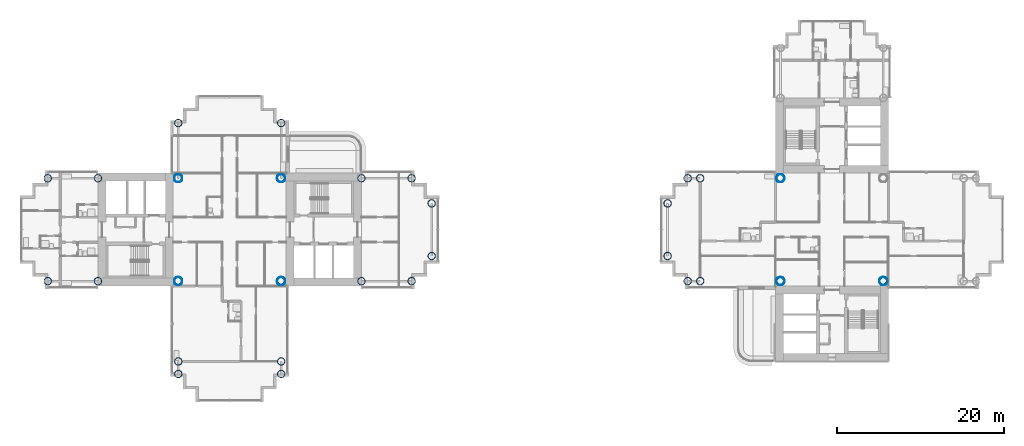
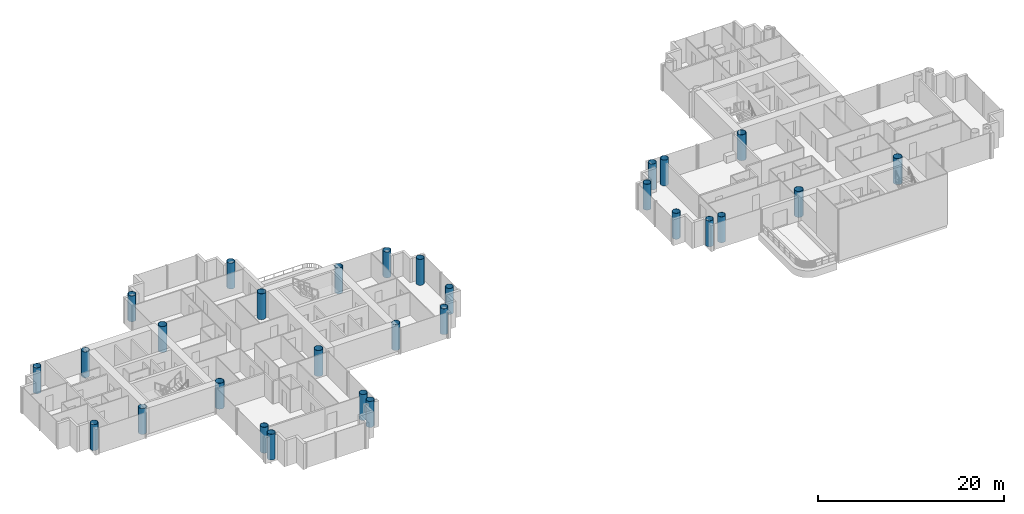
# One storey, part 1 of 21: 29 columns.
"""IFC4 building model written with IfcOpenShell, lengths in metres."""

from ifc_helpers import new_model, si_unit, direction, frame, origin, origin_2d, place, context, subcontext, project, spatial, hollow_circle, extrude, material, material_profile, profile_set, type_object, element, save


model = new_model("IFC4")

# Units and contexts
model_context = context("Model", 3, precision=1e-05, world=origin(), true_north=direction((0.0, 1.0)))
body_context = subcontext(model_context, "Body", "Model", "MODEL_VIEW")
ifc_project = project(units=[si_unit("LENGTHUNIT", "METRE"), si_unit("AREAUNIT", "SQUARE_METRE"), si_unit("VOLUMEUNIT", "CUBIC_METRE"), si_unit("PLANEANGLEUNIT", "RADIAN"), si_unit("MASSUNIT", "GRAM", prefix="KILO")], contexts=[model_context])

# Site, building, storey
site_placement = place(None, origin())
site = spatial("IfcSite", under=ifc_project, at=site_placement, CompositionType="ELEMENT")
building_placement = place(site_placement, origin())
building = spatial("IfcBuilding", under=site, at=building_placement, Name="Ipe Terrace Towers", CompositionType="ELEMENT")
storey_placement = place(building_placement, frame((0.0, 0.0, 83.39990234375)))
storey = spatial("IfcBuildingStorey", under=building, at=storey_placement, Name="L22", CompositionType="ELEMENT", Elevation=83.39990234375)

# Columns
ifc_material_1 = material(Name="Steel S355 tube with Concrete C60/75 fill", Category="concrete")
ifc_material_profile_1 = material_profile(ifc_material_1, hollow_circle(Radius=0.5, WallThickness=0.035888671875, at=origin_2d()), Name="CHS-1000x36")
ifc_profile_set_1 = profile_set([ifc_material_profile_1], Name="Steel S355 tube with Concrete C60/75 fill")
column_type_1 = type_object("IfcColumnType", Name="CH01 COLUMN CHS-1000x36", PredefinedType="COLUMN", material=ifc_profile_set_1)
for number, where, z_axis, x_axis, name in (
    (1, (-42.14990234375, -6.14990234375, 0.0), (0.0, 0.0, 1.0), (1.0, 0.0, 0.0), "Column T1-C-E01"),
    (2, (-29.85009765625, -6.14990234375, 0.0), (0.0, 0.0, 1.0), (1.0, 0.0, 0.0), "Column T1-C-E02"),
    (3, (-29.85009765625, 6.14990234375, 0.0), (0.0, 0.0, 1.0), (1.0, 0.0, 0.0), "Column T1-C-E03"),
    (4, (-42.14990234375, 6.14990234375, 0.0), (0.0, 0.0, 1.0), (1.0, 0.0, 0.0), "Column T1-C-E04"),
    (5, (42.14990234375, -6.14990234375, 0.0), (0.0, 0.0, 1.0), (1.0, 0.0, 0.0), "Column T2-C-E01"),
    (6, (29.85009765625, 6.14990234375, 0.0), (0.0, 0.0, 1.0), (1.0, 0.0, 0.0), "Column T2-C-E03"),
    (7, (29.85009765625, -6.14990234375, 0.0), (0.0, 0.0, 1.0), (1.0, 0.0, 0.0), "Column T2-C-E04"),
):
    element("IfcColumn", number, at=place(storey_placement, frame(where, z_axis=z_axis, x_axis=x_axis)), inside=storey, type_object=column_type_1, Name=name, PredefinedType="COLUMN", context=body_context, shape_type="SweptSolid", body=[
        extrude(hollow_circle(Radius=0.5, WallThickness=0.035888671875, at=origin_2d()), origin(), (0.0, 0.0, 1.0), 3.400146484375),
    ])
ifc_material_2 = material(Name="Steel S355 tube with Concrete C60/75 fill", Category="concrete")
ifc_material_profile_2 = material_profile(ifc_material_2, hollow_circle(Radius=0.449951171875, WallThickness=0.031982421875, at=origin_2d()), Name="CHS-900x32")
ifc_profile_set_2 = profile_set([ifc_material_profile_2], Name="Steel S355 tube with Concrete C60/75 fill")
column_type_2 = type_object("IfcColumnType", Name="CH10 COLUMN CHS-900x32", PredefinedType="COLUMN", material=ifc_profile_set_2)
for number, where, z_axis, x_axis, name in (
    (8, (-20.25, -6.14990234375, 0.0), (0.0, 0.0, 1.0), (1.0, 0.0, 0.0), "Column T1-C-A01"),
    (9, (-20.25, 6.14990234375, 0.0), (0.0, 0.0, 1.0), (1.0, 0.0, 0.0), "Column T1-C-A02"),
    (10, (-14.25, -6.14990234375, 0.0), (0.0, 0.0, 1.0), (1.0, 0.0, 0.0), "Column T1-C-A03"),
    (11, (-14.25, 6.14990234375, 0.0), (0.0, 0.0, 1.0), (1.0, 0.0, 0.0), "Column T1-C-A04"),
    (12, (-11.85009765625, -3.14990234375, 0.0), (0.0, 0.0, 1.0), (1.0, 0.0, 0.0), "Column T1-C-A05"),
    (13, (-11.85009765625, 3.14990234375, 0.0), (0.0, 0.0, 1.0), (1.0, 0.0, 0.0), "Column T1-C-A06"),
    (14, (-29.85009765625, 12.75, 0.0), (0.0, 0.0, 1.0), (1.0, 0.0, 0.0), "Column T1-C-B01"),
    (15, (-42.14990234375, 12.75, 0.0), (0.0, 0.0, 1.0), (1.0, 0.0, 0.0), "Column T1-C-B02"),
    (16, (-51.75, -6.14990234375, 0.0), (0.0, 0.0, 1.0), (1.0, 0.0, 0.0), "Column T1-C-C01"),
    (17, (-51.75, 6.14990234375, 0.0), (0.0, 0.0, 1.0), (1.0, 0.0, 0.0), "Column T1-C-C02"),
    (18, (-57.75, -6.14990234375, 0.0), (0.0, 0.0, 1.0), (1.0, 0.0, 0.0), "Column T1-C-C03"),
    (19, (-57.75, 6.14990234375, 0.0), (0.0, 0.0, 1.0), (1.0, 0.0, 0.0), "Column T1-C-C04"),
    (20, (-42.14990234375, -15.75, 0.0), (0.0, 0.0, 1.0), (1.0, 0.0, 0.0), "Column T1-C-D03"),
    (21, (-29.85009765625, -15.75, 0.0), (0.0, 0.0, 1.0), (1.0, 0.0, 0.0), "Column T1-C-D04"),
    (22, (-42.14990234375, -17.25, 0.0), (0.0, 0.0, 1.0), (1.0, 0.0, 0.0), "Column T1-C-D05"),
    (23, (-29.85009765625, -17.25, 0.0), (0.0, 0.0, 1.0), (1.0, 0.0, 0.0), "Column T1-C-D06"),
    (24, (20.25, 6.14990234375, 0.0), (0.0, 0.0, 1.0), (1.0, 0.0, 0.0), "Column T2-C-B03"),
    (25, (20.25, -6.14990234375, 0.0), (0.0, 0.0, 1.0), (1.0, 0.0, 0.0), "Column T2-C-B04"),
    (26, (18.75, 6.14990234375, 0.0), (0.0, 0.0, 1.0), (1.0, 0.0, 0.0), "Column T2-C-B05"),
    (27, (18.75, -6.14990234375, 0.0), (0.0, 0.0, 1.0), (1.0, 0.0, 0.0), "Column T2-C-B06"),
    (28, (16.35009765625, 3.14990234375, 0.0), (0.0, 0.0, 1.0), (1.0, 0.0, 0.0), "Column T2-C-B07"),
    (29, (16.35009765625, -3.14990234375, 0.0), (0.0, 0.0, 1.0), (1.0, 0.0, 0.0), "Column T2-C-B08"),
):
    element("IfcColumn", number, at=place(storey_placement, frame(where, z_axis=z_axis, x_axis=x_axis)), inside=storey, type_object=column_type_2, Name=name, PredefinedType="COLUMN", context=body_context, shape_type="SweptSolid", body=[
        extrude(hollow_circle(Radius=0.449951171875, WallThickness=0.031982421875, at=origin_2d()), origin(), (0.0, 0.0, 1.0), 3.400146484375),
    ])

save(model, "model.ifc")
